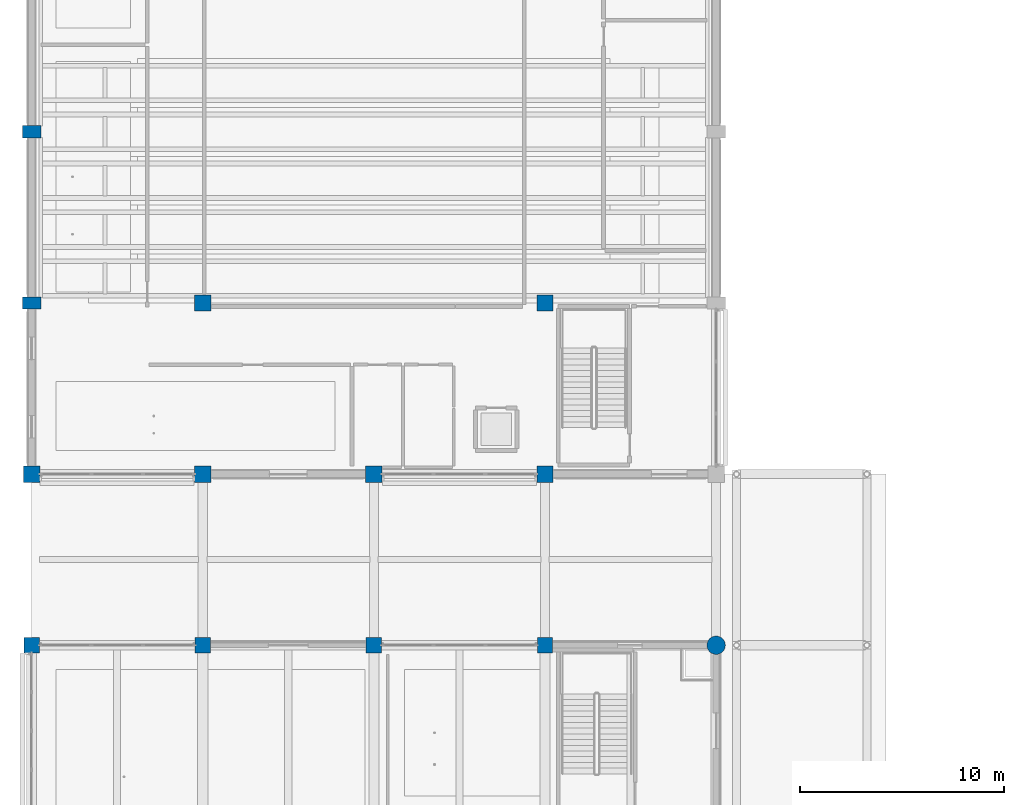
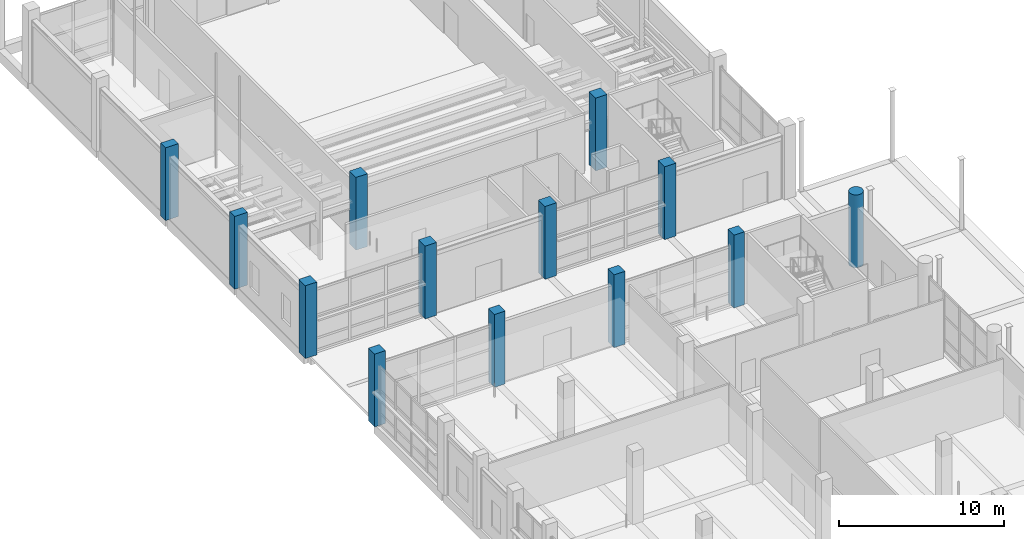
# One storey, part 11 of 140: 13 columns.
"""IFC4 building model written with IfcOpenShell, lengths in metres."""

from ifc_helpers import new_model, si_unit, direction, frame, origin, origin_2d, place, context, subcontext, project, spatial, rectangle, circle, extrude, material, material_profile, profile_set, type_object, element, save


model = new_model("IFC4")

# Units and contexts
model_context = context("Model", 3, precision=1e-05, world=origin(), true_north=direction((0.0, 1.0)))
body_context = subcontext(model_context, "Body", "Model", "MODEL_VIEW")
ifc_project = project(units=[si_unit("LENGTHUNIT", "METRE"), si_unit("AREAUNIT", "SQUARE_METRE"), si_unit("VOLUMEUNIT", "CUBIC_METRE"), si_unit("PLANEANGLEUNIT", "RADIAN"), si_unit("MASSUNIT", "GRAM", prefix="KILO")], contexts=[model_context])

# Site, building, storey
site_placement = place(None, origin())
site = spatial("IfcSite", under=ifc_project, at=site_placement, CompositionType="ELEMENT")
building_placement = place(site_placement, origin())
building = spatial("IfcBuilding", under=site, at=building_placement, Name="Telukmera Botanical Conservatory", CompositionType="ELEMENT")
storey_placement = place(building_placement, origin())
storey = spatial("IfcBuildingStorey", under=building, at=storey_placement, Name="L00", CompositionType="ELEMENT", Elevation=0.0)

# Columns
ifc_material_1 = material(Name="Concrete C40/50", Category="concrete")
ifc_material_profile_1 = material_profile(ifc_material_1, rectangle(XDim=0.60009765625, YDim=0.89990234375, at=origin_2d()), Name="RC 900x600")
ifc_profile_set_1 = profile_set([ifc_material_profile_1], Name="Concrete C40/50")
column_type_1 = type_object("IfcColumnType", Name="Col_C15", PredefinedType="COLUMN", material=ifc_profile_set_1)
for number, where, z_axis, x_axis, name in (
    (1, (8.39990234375, 91.60009765625, 0.0), (0.0, 0.0, 1.0), (0.0, 1.0, 0.0), "Column V2-L00 (8.4,91.6)"),
    (2, (8.39990234375, 100.0, 0.0), (0.0, 0.0, 1.0), (0.0, 1.0, 0.0), "Column V2-L00 (8.4,100.0)"),
):
    element("IfcColumn", number, at=place(storey_placement, frame(where, z_axis=z_axis, x_axis=x_axis)), inside=storey, type_object=column_type_1, Name=name, PredefinedType="COLUMN", context=body_context, shape_type="SweptSolid", body=[
        extrude(rectangle(XDim=0.60009765625, YDim=0.89990234375, at=origin_2d()), origin(), (0.0, 0.0, 1.0), 5.39990234375),
    ])
ifc_material_profile_2 = material_profile(ifc_material_1, circle(Radius=0.449951171875, at=origin_2d()), Name="RC D900")
ifc_profile_set_2 = profile_set([ifc_material_profile_2], Name="Concrete C40/50")
column_type_2 = type_object("IfcColumnType", Name="Col_C16", PredefinedType="COLUMN", material=ifc_profile_set_2)
column_placement = place(storey_placement, frame((42.0, 74.800048828125, 0.0), z_axis=(0.0, 0.0, 1.0), x_axis=(1.0, 0.0, 0.0)))
element("IfcColumn", 3, at=column_placement, inside=storey, type_object=column_type_2, Name="Column V3-L00 (42.0,74.8)", PredefinedType="COLUMN", context=body_context, shape_type="SweptSolid", body=[
    extrude(circle(Radius=0.449951171875, at=origin_2d()), origin(), (0.0, 0.0, 1.0), 5.39990234375),
])
ifc_material_2 = material(Name="Concrete C50/60", Category="concrete")
ifc_material_profile_3 = material_profile(ifc_material_2, rectangle(XDim=0.800048828125, YDim=0.800048828125, at=origin_2d()), Name="RC 800x800")
ifc_profile_set_3 = profile_set([ifc_material_profile_3], Name="Concrete C50/60")
column_type_3 = type_object("IfcColumnType", Name="Col_C7", PredefinedType="COLUMN", material=ifc_profile_set_3)
for number, where, z_axis, x_axis, name in (
    (4, (8.39990234375, 83.199951171875, 0.0), (0.0, 0.0, 1.0), (1.0, 0.0, 0.0), "Column V2-L00 (8.4,83.2)"),
    (5, (16.800048828125, 83.199951171875, 0.0), (0.0, 0.0, 1.0), (1.0, 0.0, 0.0), "Column V2-L00 (16.8,83.2)"),
    (6, (16.800048828125, 91.60009765625, 0.0), (0.0, 0.0, 1.0), (1.0, 0.0, 0.0), "Column V2-L00 (16.8,91.6)"),
    (7, (25.199951171875, 83.199951171875, 0.0), (0.0, 0.0, 1.0), (1.0, 0.0, 0.0), "Column V2-L00 (25.2,83.2)"),
    (8, (33.60009765625, 83.199951171875, 0.0), (0.0, 0.0, 1.0), (1.0, 0.0, 0.0), "Column V2-L00 (33.6,83.2)"),
    (9, (33.60009765625, 91.60009765625, 0.0), (0.0, 0.0, 1.0), (1.0, 0.0, 0.0), "Column V2-L00 (33.6,91.6)"),
):
    element("IfcColumn", number, at=place(storey_placement, frame(where, z_axis=z_axis, x_axis=x_axis)), inside=storey, type_object=column_type_3, Name=name, PredefinedType="COLUMN", context=body_context, shape_type="SweptSolid", body=[
        extrude(rectangle(XDim=0.800048828125, YDim=0.800048828125, at=origin_2d()), origin(), (0.0, 0.0, 1.0), 5.39990234375),
    ])
ifc_material_profile_4 = material_profile(ifc_material_1, rectangle(XDim=0.75, YDim=0.75, at=origin_2d()), Name="RC 750x750")
ifc_profile_set_4 = profile_set([ifc_material_profile_4], Name="Concrete C40/50")
column_type_4 = type_object("IfcColumnType", Name="Col_C8", PredefinedType="COLUMN", material=ifc_profile_set_4)
for number, where, z_axis, x_axis, name in (
    (10, (8.39990234375, 74.800048828125, 0.0), (0.0, 0.0, 1.0), (1.0, 0.0, 0.0), "Column V3-L00 (8.4,74.8)"),
    (11, (16.800048828125, 74.800048828125, 0.0), (0.0, 0.0, 1.0), (1.0, 0.0, 0.0), "Column V3-L00 (16.8,74.8)"),
    (12, (25.199951171875, 74.800048828125, 0.0), (0.0, 0.0, 1.0), (1.0, 0.0, 0.0), "Column V3-L00 (25.2,74.8)"),
    (13, (33.60009765625, 74.800048828125, 0.0), (0.0, 0.0, 1.0), (1.0, 0.0, 0.0), "Column V3-L00 (33.6,74.8)"),
):
    element("IfcColumn", number, at=place(storey_placement, frame(where, z_axis=z_axis, x_axis=x_axis)), inside=storey, type_object=column_type_4, Name=name, PredefinedType="COLUMN", context=body_context, shape_type="SweptSolid", body=[
        extrude(rectangle(XDim=0.75, YDim=0.75, at=origin_2d()), origin(), (0.0, 0.0, 1.0), 5.39990234375),
    ])

save(model, "model.ifc")
